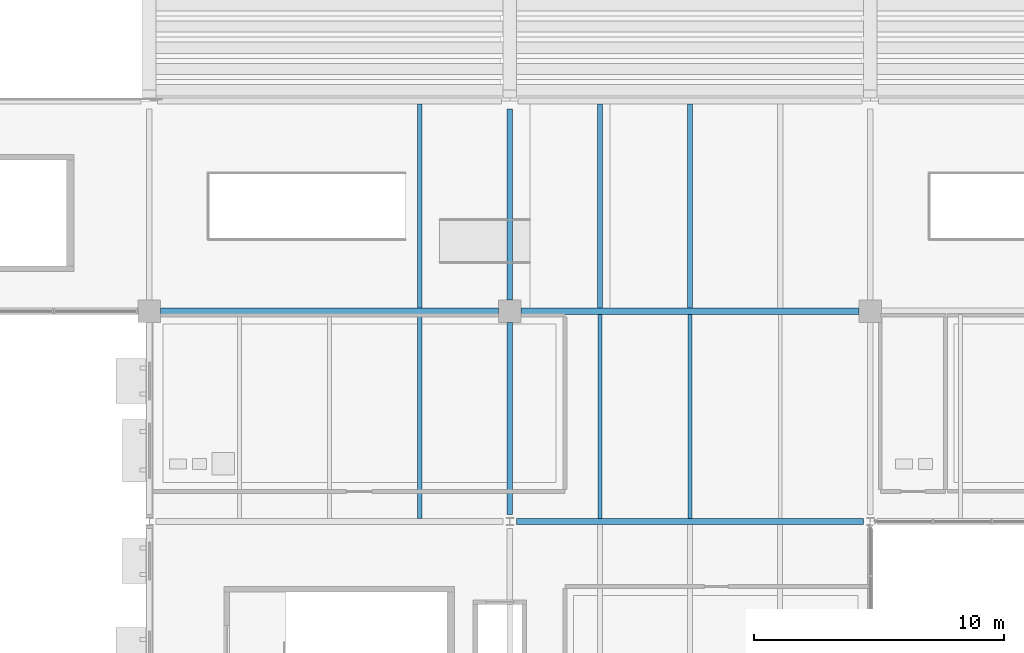
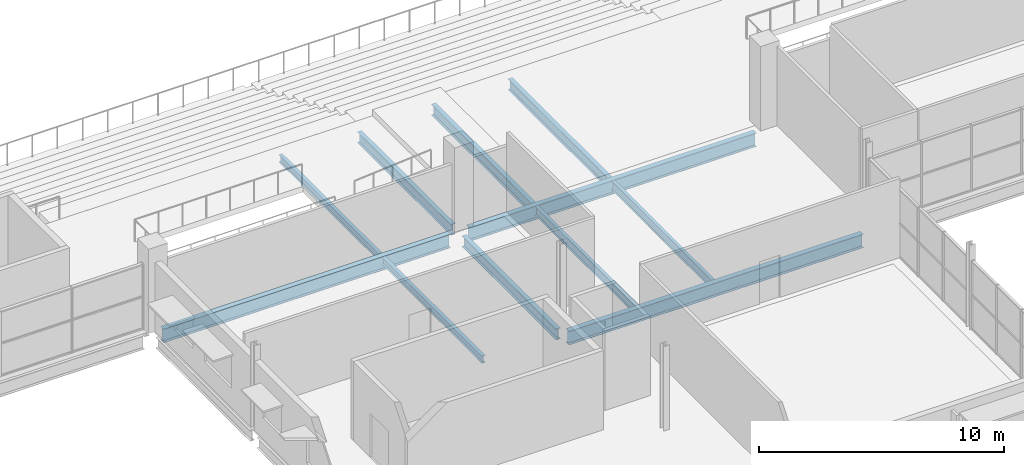
# One storey, part 21 of 161: 11 beams.
"""IFC4 building model written with IfcOpenShell, lengths in metres."""

from ifc_helpers import new_model, si_unit, direction, frame, origin, origin_2d, place, context, subcontext, project, spatial, i_section, extrude, material, material_profile, profile_set, type_object, element, save


model = new_model("IFC4")

# Units and contexts
model_context = context("Model", 3, precision=1e-05, world=origin(), true_north=direction((0.0, 1.0)))
body_context = subcontext(model_context, "Body", "Model", "MODEL_VIEW")
ifc_project = project(units=[si_unit("LENGTHUNIT", "METRE"), si_unit("AREAUNIT", "SQUARE_METRE"), si_unit("VOLUMEUNIT", "CUBIC_METRE"), si_unit("PLANEANGLEUNIT", "RADIAN"), si_unit("MASSUNIT", "GRAM", prefix="KILO"), si_unit("THERMODYNAMICTEMPERATUREUNIT", "KELVIN")], contexts=[model_context])

# Site, building, storey
site_placement = place(None, origin())
site = spatial("IfcSite", under=ifc_project, at=site_placement, CompositionType="ELEMENT")
building_placement = place(site_placement, origin())
building = spatial("IfcBuilding", under=site, at=building_placement, Name="Nduvali Passage Aquatics Centre", CompositionType="ELEMENT")
storey_placement = place(building_placement, frame((0.0, 0.0, 4.800048828125)))
storey = spatial("IfcBuildingStorey", under=building, at=storey_placement, Name="L01", CompositionType="ELEMENT", Elevation=4.800048828125)

# Beams
ifc_material = material(Name="Steel S355", Category="steel")
ifc_material_profile_1 = material_profile(ifc_material, i_section(OverallWidth=0.210693359375, OverallDepth=0.53955078125, WebThickness=0.01171875, FlangeThickness=0.018798828125, FilletRadius=0.0126953125, at=origin_2d()), Name="UKB 533x210x109")
ifc_profile_set_1 = profile_set([ifc_material_profile_1], Name="Steel S355")
beam_type_1 = type_object("IfcBeamType", Name="STR-BM-UKB533", PredefinedType="BEAM", material=ifc_profile_set_1)
beam_1_placement = place(storey_placement, frame((54.0, 17.074951171875, -0.553955078125), z_axis=(0.0, 1.0, 0.0), x_axis=(-1.0, 0.0, 0.0)))
element("IfcBeam", 1, at=beam_1_placement, inside=storey, type_object=beam_type_1, Name="L01 Primary Y-Girder B6-0586", PredefinedType="BEAM", context=body_context, shape_type="SweptSolid", body=[
    extrude(i_section(OverallWidth=0.210693359375, OverallDepth=0.53955078125, WebThickness=0.01171875, FlangeThickness=0.018798828125, FilletRadius=0.0126953125, at=origin_2d()), origin(), (0.0, 0.0, 1.0), 7.675048828125),
])
beam_2_placement = place(storey_placement, frame((54.0, 25.64990234375, -0.553955078125), z_axis=(0.0, 1.0, 0.0), x_axis=(-1.0, 0.0, 0.0)))
element("IfcBeam", 2, at=beam_2_placement, inside=storey, type_object=beam_type_1, Name="L01 Primary Y-Girder B6-0587", PredefinedType="BEAM", context=body_context, shape_type="SweptSolid", body=[
    extrude(i_section(OverallWidth=0.210693359375, OverallDepth=0.53955078125, WebThickness=0.01171875, FlangeThickness=0.018798828125, FilletRadius=0.0126953125, at=origin_2d()), origin(), (0.0, 0.0, 1.0), 7.625),
])
ifc_material_profile_2 = material_profile(ifc_material, i_section(OverallWidth=0.253662109375, OverallDepth=0.68359375, WebThickness=0.012451171875, FlangeThickness=0.01904296875, FilletRadius=0.01513671875, at=origin_2d()), Name="UKB 686x254x140")
ifc_profile_set_2 = profile_set([ifc_material_profile_2], Name="Steel S355")
beam_type_2 = type_object("IfcBeamType", Name="STR-BM-UKB686", PredefinedType="BEAM", material=ifc_profile_set_2)
beam_3_placement = place(storey_placement, frame((54.27490234375, 16.800048828125, -0.625732421875), z_axis=(1.0, 0.0, 0.0), x_axis=(0.0, 1.0, 0.0)))
element("IfcBeam", 3, at=beam_3_placement, inside=storey, type_object=beam_type_2, Name="L01 Primary X-Girder B4-0437", PredefinedType="BEAM", context=body_context, shape_type="SweptSolid", body=[
    extrude(i_section(OverallWidth=0.253662109375, OverallDepth=0.68359375, WebThickness=0.012451171875, FlangeThickness=0.01904296875, FilletRadius=0.01513671875, at=origin_2d()), origin(), (0.0, 0.0, 1.0), 13.85009765625),
])
ifc_material_profile_3 = material_profile(ifc_material, i_section(OverallWidth=0.253662109375, OverallDepth=0.68359375, WebThickness=0.012451171875, FlangeThickness=0.01904296875, FilletRadius=0.01513671875, at=origin_2d()), Name="UKB 686x254x140")
ifc_profile_set_3 = profile_set([ifc_material_profile_3], Name="Steel S355")
beam_type_3 = type_object("IfcBeamType", Name="STR-BM-UKB686-EXT", PredefinedType="BEAM", material=ifc_profile_set_3)
for number, where, z_axis, x_axis, name in (
    (4, (40.050048828125, 25.199951171875, -0.625732421875), (1.0, 0.0, 0.0), (0.0, 1.0, 0.0), "L01 Primary X-Girder B4E-0444"),
    (5, (54.449951171875, 25.199951171875, -0.625732421875), (1.0, 0.0, 0.0), (0.0, 1.0, 0.0), "L01 Primary X-Girder B4E-0445"),
):
    element("IfcBeam", number, at=place(storey_placement, frame(where, z_axis=z_axis, x_axis=x_axis)), inside=storey, type_object=beam_type_3, Name=name, PredefinedType="BEAM", context=body_context, shape_type="SweptSolid", body=[
        extrude(i_section(OverallWidth=0.253662109375, OverallDepth=0.68359375, WebThickness=0.012451171875, FlangeThickness=0.01904296875, FilletRadius=0.01513671875, at=origin_2d()), origin(), (0.0, 0.0, 1.0), 13.5),
    ])
ifc_material_profile_4 = material_profile(ifc_material, i_section(OverallWidth=0.169921875, OverallDepth=0.360107421875, WebThickness=0.008056640625, FlangeThickness=0.0126953125, FilletRadius=0.01806640625, at=origin_2d()), Name="IPE 360")
ifc_profile_set_4 = profile_set([ifc_material_profile_4], Name="Steel S355")
beam_type_4 = type_object("IfcBeamType", Name="STR-JST-IPE360", PredefinedType="JOIST", material=ifc_profile_set_4)
beam_4_placement = place(storey_placement, frame((50.39990234375, 25.326904296875, -0.464111328125), z_axis=(0.0, 1.0, 0.0), x_axis=(-1.0, 0.0, 0.0)))
element("IfcBeam", 6, at=beam_4_placement, inside=storey, type_object=beam_type_4, Name="L01 Secondary Joist J6-0729", PredefinedType="JOIST", context=body_context, shape_type="SweptSolid", body=[
    extrude(i_section(OverallWidth=0.169921875, OverallDepth=0.360107421875, WebThickness=0.008056640625, FlangeThickness=0.0126953125, FilletRadius=0.01806640625, at=origin_2d()), origin(), (0.0, 0.0, 1.0), 8.146240234375),
])
ifc_material_profile_5 = material_profile(ifc_material, i_section(OverallWidth=0.2099609375, OverallDepth=0.550048828125, WebThickness=0.010986328125, FlangeThickness=0.01708984375, FilletRadius=0.02392578125, at=origin_2d()), Name="IPE 550")
ifc_profile_set_5 = profile_set([ifc_material_profile_5], Name="Steel S355")
beam_type_5 = type_object("IfcBeamType", Name="STR-JST-IPE550", PredefinedType="JOIST", material=ifc_profile_set_5)
for number, where, z_axis, x_axis, name in (
    (7, (57.60009765625, 25.326904296875, -0.55908203125), (0.0, 1.0, 0.0), (-1.0, 0.0, 0.0), "L01 Secondary Joist J5C-0730"),
    (8, (61.199951171875, 25.326904296875, -0.55908203125), (0.0, 1.0, 0.0), (-1.0, 0.0, 0.0), "L01 Secondary Joist J5C-0731"),
):
    element("IfcBeam", number, at=place(storey_placement, frame(where, z_axis=z_axis, x_axis=x_axis)), inside=storey, type_object=beam_type_5, Name=name, PredefinedType="JOIST", context=body_context, shape_type="SweptSolid", body=[
        extrude(i_section(OverallWidth=0.2099609375, OverallDepth=0.550048828125, WebThickness=0.010986328125, FlangeThickness=0.01708984375, FilletRadius=0.02392578125, at=origin_2d()), origin(), (0.0, 0.0, 1.0), 8.146240234375),
    ])
ifc_material_profile_6 = material_profile(ifc_material, i_section(OverallWidth=0.172119140625, OverallDepth=0.35791015625, WebThickness=0.008056640625, FlangeThickness=0.012939453125, FilletRadius=0.01025390625, at=origin_2d()), Name="UKB 356x171x57")
ifc_profile_set_6 = profile_set([ifc_material_profile_6], Name="Steel S355")
beam_type_6 = type_object("IfcBeamType", Name="STR-JST-UKB356", PredefinedType="JOIST", material=ifc_profile_set_6)
beam_5_placement = place(storey_placement, frame((50.39990234375, 16.9267578125, -0.463134765625), z_axis=(0.0, 1.0, 0.0), x_axis=(-1.0, 0.0, 0.0)))
element("IfcBeam", 9, at=beam_5_placement, inside=storey, type_object=beam_type_6, Name="L01 Secondary Joist J2-0712", PredefinedType="JOIST", context=body_context, shape_type="SweptSolid", body=[
    extrude(i_section(OverallWidth=0.172119140625, OverallDepth=0.35791015625, WebThickness=0.008056640625, FlangeThickness=0.012939453125, FilletRadius=0.01025390625, at=origin_2d()), origin(), (0.0, 0.0, 1.0), 8.146484375),
])
ifc_material_profile_7 = material_profile(ifc_material, i_section(OverallWidth=0.15283203125, OverallDepth=0.45458984375, WebThickness=0.008056640625, FlangeThickness=0.01318359375, FilletRadius=0.01025390625, at=origin_2d()), Name="UKB 457x152x60")
ifc_profile_set_7 = profile_set([ifc_material_profile_7], Name="Steel S355")
beam_type_7 = type_object("IfcBeamType", Name="STR-JST-UKB457L", PredefinedType="JOIST", material=ifc_profile_set_7)
for number, where, z_axis, x_axis, name in (
    (10, (57.60009765625, 16.9267578125, -0.51123046875), (0.0, 1.0, 0.0), (-1.0, 0.0, 0.0), "L01 Secondary Joist J1A-0713"),
    (11, (61.199951171875, 16.9267578125, -0.51123046875), (0.0, 1.0, 0.0), (-1.0, 0.0, 0.0), "L01 Secondary Joist J1A-0714"),
):
    element("IfcBeam", number, at=place(storey_placement, frame(where, z_axis=z_axis, x_axis=x_axis)), inside=storey, type_object=beam_type_7, Name=name, PredefinedType="JOIST", context=body_context, shape_type="SweptSolid", body=[
        extrude(i_section(OverallWidth=0.15283203125, OverallDepth=0.45458984375, WebThickness=0.008056640625, FlangeThickness=0.01318359375, FilletRadius=0.01025390625, at=origin_2d()), origin(), (0.0, 0.0, 1.0), 8.146484375),
    ])

save(model, "model.ifc")
